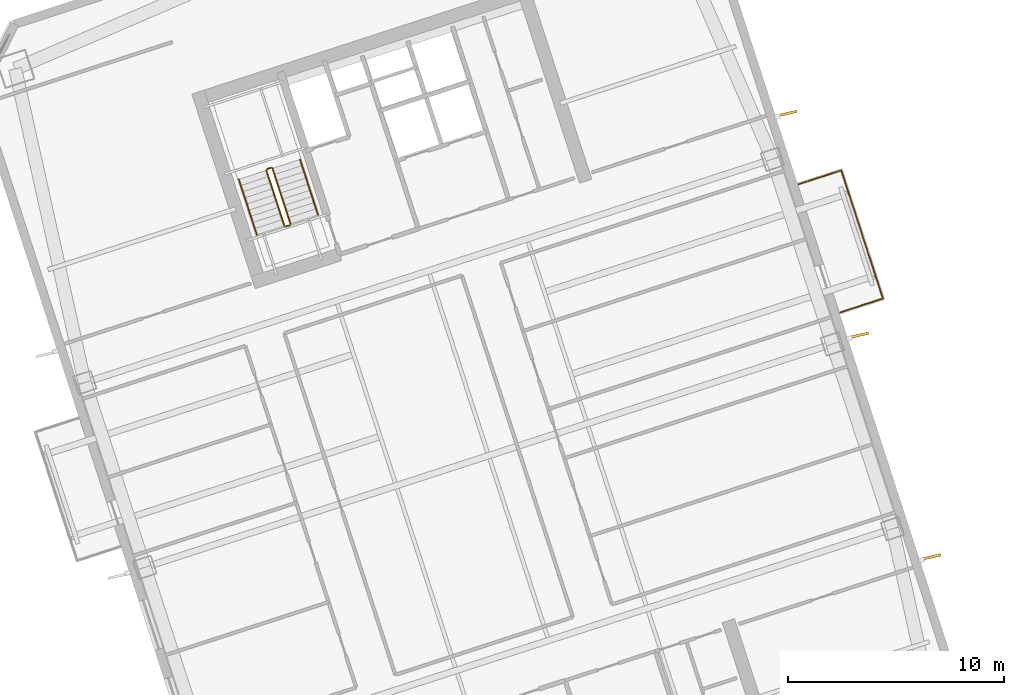
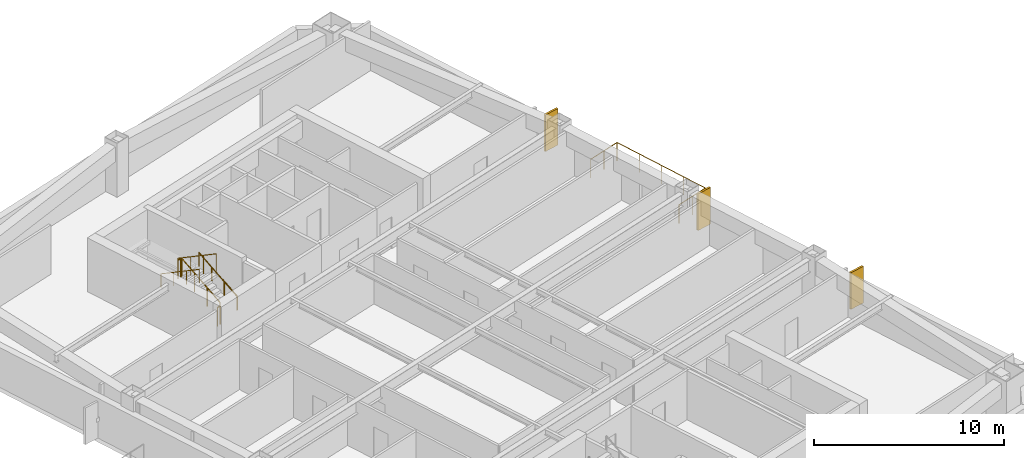
# One storey, part 23 of 23: 7 railings, 3 shading devices.
"""IFC4 building model written with IfcOpenShell, lengths in metres."""

from ifc_helpers import new_model, si_unit, direction, frame, origin, origin_2d, place, context, subcontext, project, spatial, rectangle, circle, extrude, material, layer, layer_set, type_object, element, save


model = new_model("IFC4")

# Units and contexts
model_context = context("Model", 3, precision=1e-05, world=origin(), true_north=direction((0.0, 1.0)))
body_context = subcontext(model_context, "Body", "Model", "MODEL_VIEW")
ifc_project = project(units=[si_unit("LENGTHUNIT", "METRE"), si_unit("AREAUNIT", "SQUARE_METRE"), si_unit("VOLUMEUNIT", "CUBIC_METRE"), si_unit("PLANEANGLEUNIT", "RADIAN"), si_unit("MASSUNIT", "GRAM", prefix="KILO")], contexts=[model_context])

# Site, building, storey
site_placement = place(None, origin())
site = spatial("IfcSite", under=ifc_project, at=site_placement, CompositionType="ELEMENT")
building_placement = place(site_placement, origin())
building = spatial("IfcBuilding", under=site, at=building_placement, Name="Qiaolan Cultural Towers", CompositionType="ELEMENT")
storey_placement = place(building_placement, frame((0.0, 0.0, 100.050048828125)))
storey = spatial("IfcBuildingStorey", under=building, at=storey_placement, Name="L25", CompositionType="ELEMENT", Elevation=100.050048828125)

# Railings
ifc_material_1 = material(Name="Laminated SentryGlas & Stainless Steel S31608 Balustrade", Category="steel")
railing_type_1 = type_object("IfcRailingType", Name="GRD-TERR-1200", PredefinedType="BALUSTRADE", material=ifc_material_1)
railing_1_placement = place(storey_placement, frame((106.29541015625, 40.640625, 0.0)))
element("IfcRailing", 1, at=railing_1_placement, inside=storey, type_object=railing_type_1, Name="L25 T2 Tree Balcony Guardrail E", PredefinedType="BALUSTRADE", context=body_context, shape_type="SweptSolid", body=[
    extrude(circle(Radius=0.02392578125, at=origin_2d()), frame((0.0, 0.0, 1.17578125), z_axis=(0.951061799618, 0.309000733507, 0.0), x_axis=(-0.309000733507, 0.951061799618, 0.0)), (0.0, 0.0, 1.0), 2.070068359375),
    extrude(circle(Radius=0.02392578125, at=origin_2d()), frame((1.96875, 0.6396484375, 1.17578125), z_axis=(-0.30901175762, 0.951058217804, 0.0), x_axis=(-0.951058217804, -0.30901175762, 0.0)), (0.0, 0.0, 1.0), 6.239990234375),
    extrude(circle(Radius=0.02392578125, at=origin_2d()), frame((0.04052734375, 6.57421875, 1.17578125), z_axis=(-0.951061799618, -0.309000733507, 0.0), x_axis=(0.309000733507, -0.951061799618, 0.0)), (0.0, 0.0, 1.0), 2.070068359375),
    extrude(circle(Radius=0.02099609375, at=origin_2d()), origin(), (0.0, 0.0, 1.0), 1.15185546875),
    extrude(circle(Radius=0.02099609375, at=origin_2d()), frame((0.984375, 0.31982421875, 0.0)), (0.0, 0.0, 1.0), 1.15185546875),
    extrude(circle(Radius=0.02099609375, at=origin_2d()), frame((1.96875, 0.6396484375, 0.0)), (0.0, 0.0, 1.0), 1.15185546875),
    extrude(circle(Radius=0.02099609375, at=origin_2d()), frame((1.48681640625, 2.123291015625, 0.0)), (0.0, 0.0, 1.0), 1.15185546875),
    extrude(circle(Radius=0.02099609375, at=origin_2d()), frame((1.004638671875, 3.60693359375, 0.0)), (0.0, 0.0, 1.0), 1.15185546875),
    extrude(circle(Radius=0.02099609375, at=origin_2d()), frame((0.5224609375, 5.090576171875, 0.0)), (0.0, 0.0, 1.0), 1.15185546875),
    extrude(circle(Radius=0.02099609375, at=origin_2d()), frame((0.04052734375, 6.57421875, 0.0)), (0.0, 0.0, 1.0), 1.15185546875),
    extrude(circle(Radius=0.02099609375, at=origin_2d()), frame((-0.94384765625, 6.25439453125, 0.0)), (0.0, 0.0, 1.0), 1.15185546875),
    extrude(circle(Radius=0.02099609375, at=origin_2d()), frame((-1.92822265625, 5.9345703125, 0.0)), (0.0, 0.0, 1.0), 1.15185546875),
])
ifc_material_2 = material(Name="Galvanized Painted Steel Stair Guardrail", Category="steel")
railing_type_2 = type_object("IfcRailingType", Name="RL-STAIR-GRD", PredefinedType="GUARDRAIL", material=ifc_material_2)
railing_2_placement = place(storey_placement, frame((80.822021484375, 44.739501953125, 0.17236328125)))
element("IfcRailing", 2, at=railing_2_placement, inside=storey, type_object=railing_type_2, Name="L25 ST-E2 stair guard 1", PredefinedType="GUARDRAIL", context=body_context, shape_type="SweptSolid", body=[
    extrude(circle(Radius=0.02392578125, at=origin_2d()), frame((0.0, 0.0, 1.17578125), z_axis=(-0.26785290645, 0.824488402118, 0.498471358535), x_axis=(-0.951069945308, -0.308975661068, 0.0)), (0.0, 0.0, 1.0), 3.114501953125),
    extrude(circle(Radius=0.02099609375, at=origin_2d()), origin(), (0.0, 0.0, 1.0), 1.15185546875),
    extrude(circle(Radius=0.02099609375, at=origin_2d()), frame((-0.278076171875, 0.85595703125, 0.517578125)), (0.0, 0.0, 1.0), 1.15185546875),
    extrude(circle(Radius=0.02099609375, at=origin_2d()), frame((-0.55615234375, 1.7119140625, 1.034912109375)), (0.0, 0.0, 1.0), 1.15185546875),
    extrude(circle(Radius=0.02099609375, at=origin_2d()), frame((-0.834228515625, 2.56787109375, 1.552490234375)), (0.0, 0.0, 1.0), 1.15185546875),
])
railing_3_placement = place(storey_placement, frame((79.9248046875, 47.33935546875, 1.724853515625)))
element("IfcRailing", 3, at=railing_3_placement, inside=storey, type_object=railing_type_2, Name="L25 ST-E2 stair guard 2", PredefinedType="GUARDRAIL", context=body_context, shape_type="SweptSolid", body=[
    extrude(circle(Radius=0.02392578125, at=origin_2d()), frame((0.0, 0.0, 1.17578125), z_axis=(-0.951096855055, -0.308892816854, 0.0), x_axis=(0.308892816854, -0.951096855055, 0.0)), (0.0, 0.0, 1.0), 0.199951171875),
    extrude(circle(Radius=0.02099609375, at=origin_2d()), origin(), (0.0, 0.0, 1.0), 1.15185546875),
    extrude(circle(Radius=0.02099609375, at=origin_2d()), frame((-0.190185546875, -0.061767578125, 0.0)), (0.0, 0.0, 1.0), 1.15185546875),
])
railing_4_placement = place(storey_placement, frame((79.702392578125, 47.214599609375, 1.8974609375)))
element("IfcRailing", 4, at=railing_4_placement, inside=storey, type_object=railing_type_2, Name="L25 ST-E2 stair guard 3", PredefinedType="GUARDRAIL", context=body_context, shape_type="SweptSolid", body=[
    extrude(circle(Radius=0.02392578125, at=origin_2d()), frame((0.0, 0.0, 1.17578125), z_axis=(0.267925668498, -0.824471088726, 0.498460891159), x_axis=(0.951043371037, 0.309057448393, 0.0)), (0.0, 0.0, 1.0), 3.114501953125),
    extrude(circle(Radius=0.02099609375, at=origin_2d()), origin(), (0.0, 0.0, 1.0), 1.15185546875),
    extrude(circle(Radius=0.02099609375, at=origin_2d()), frame((0.278076171875, -0.85595703125, 0.517578125)), (0.0, 0.0, 1.0), 1.15185546875),
    extrude(circle(Radius=0.02099609375, at=origin_2d()), frame((0.556396484375, -1.7119140625, 1.034912109375)), (0.0, 0.0, 1.0), 1.15185546875),
    extrude(circle(Radius=0.02099609375, at=origin_2d()), frame((0.83447265625, -2.56787109375, 1.552490234375)), (0.0, 0.0, 1.0), 1.15185546875),
])
railing_5_placement = place(storey_placement, frame((80.7900390625, 44.676513671875, 0.0)))
element("IfcRailing", 5, at=railing_5_placement, inside=storey, type_object=railing_type_2, Name="L25 ST-E2 stair guard 4", PredefinedType="GUARDRAIL", context=body_context, shape_type="SweptSolid", body=[
    extrude(circle(Radius=0.02392578125, at=origin_2d()), frame((0.0, 0.0, 1.17578125), z_axis=(-0.951096855055, -0.308892816854, 0.0), x_axis=(0.308892816854, -0.951096855055, 0.0)), (0.0, 0.0, 1.0), 0.199951171875),
    extrude(circle(Radius=0.02099609375, at=origin_2d()), origin(), (0.0, 0.0, 1.0), 1.15185546875),
    extrude(circle(Radius=0.02099609375, at=origin_2d()), frame((-0.190185546875, -0.061767578125, 0.0)), (0.0, 0.0, 1.0), 1.15185546875),
])
ifc_material_3 = material(Name="Stainless Steel S30408 Tubular Handrail", Category="steel")
railing_type_3 = type_object("IfcRailingType", Name="RL-STAIR-HR", PredefinedType="HANDRAIL", material=ifc_material_3)
railing_6_placement = place(storey_placement, frame((82.096435546875, 45.153564453125, 0.17236328125)))
element("IfcRailing", 6, at=railing_6_placement, inside=storey, type_object=railing_type_3, Name="L25 ST-E2 stair handrail 1", PredefinedType="HANDRAIL", context=body_context, shape_type="SweptSolid", body=[
    extrude(circle(Radius=0.02392578125, at=origin_2d()), frame((0.0, 0.0, 0.8759765625), z_axis=(-0.26785290645, 0.824488402118, 0.498471358535), x_axis=(-0.951069945308, -0.308975661068, 0.0)), (0.0, 0.0, 1.0), 3.114501953125),
    extrude(circle(Radius=0.02099609375, at=origin_2d()), origin(), (0.0, 0.0, 1.0), 0.851806640625),
    extrude(circle(Radius=0.02099609375, at=origin_2d()), frame((-0.278076171875, 0.85595703125, 0.517578125)), (0.0, 0.0, 1.0), 0.851806640625),
    extrude(circle(Radius=0.02099609375, at=origin_2d()), frame((-0.55615234375, 1.7119140625, 1.034912109375)), (0.0, 0.0, 1.0), 0.851806640625),
    extrude(circle(Radius=0.02099609375, at=origin_2d()), frame((-0.834228515625, 2.56787109375, 1.552490234375)), (0.0, 0.0, 1.0), 0.851806640625),
])
railing_7_placement = place(storey_placement, frame((78.427978515625, 46.800537109375, 1.8974609375)))
element("IfcRailing", 7, at=railing_7_placement, inside=storey, type_object=railing_type_3, Name="L25 ST-E2 stair handrail 2", PredefinedType="HANDRAIL", context=body_context, shape_type="SweptSolid", body=[
    extrude(circle(Radius=0.02392578125, at=origin_2d()), frame((0.0, 0.0, 0.8759765625), z_axis=(0.267925668498, -0.824471088726, 0.498460891159), x_axis=(0.951043371037, 0.309057448393, 0.0)), (0.0, 0.0, 1.0), 3.114501953125),
    extrude(circle(Radius=0.02099609375, at=origin_2d()), origin(), (0.0, 0.0, 1.0), 0.851806640625),
    extrude(circle(Radius=0.02099609375, at=origin_2d()), frame((0.278076171875, -0.85595703125, 0.517578125)), (0.0, 0.0, 1.0), 0.851806640625),
    extrude(circle(Radius=0.02099609375, at=origin_2d()), frame((0.556396484375, -1.7119140625, 1.034912109375)), (0.0, 0.0, 1.0), 0.851806640625),
    extrude(circle(Radius=0.02099609375, at=origin_2d()), frame((0.83447265625, -2.56787109375, 1.552490234375)), (0.0, 0.0, 1.0), 0.851806640625),
])

# Shading devices
ifc_material_4 = material(Name="Dark Basalt Honed Precast Terracotta Fin", Category="masonry")
ifc_layer = layer(ifc_material_4, 0.1201171875)
ifc_layer_set = layer_set([ifc_layer], Name="Dark Basalt Honed Precast Terracotta Fin")
shading_device_type = type_object("IfcShadingDeviceType", Name="SHD-FIN-DARK", PredefinedType="USERDEFINED", material=ifc_layer_set)
for number, where, z_axis, x_axis, name in (
    (8, (110.513427734375, 29.309326171875, 0.099853515625), (0.0, 0.0, 1.0), (0.974879128079, 0.222734563182, 0.0), "L25 T2 Expressive Precast Vertical Fin E1"),
    (9, (107.176025390625, 39.580810546875, 0.099853515625), (0.0, 0.0, 1.0), (0.974879128079, 0.222734563182, 0.0), "L25 T2 Expressive Precast Vertical Fin E2"),
    (10, (103.838623046875, 49.852294921875, 0.099853515625), (0.0, 0.0, 1.0), (0.974879128079, 0.222734563182, 0.0), "L25 T2 Expressive Precast Vertical Fin E3"),
):
    element("IfcShadingDevice", number, at=place(storey_placement, frame(where, z_axis=z_axis, x_axis=x_axis)), inside=storey, type_object=shading_device_type, Name=name, ObjectType="FIN", PredefinedType="USERDEFINED", context=body_context, shape_type="SweptSolid", body=[
        extrude(rectangle(XDim=0.89990234375, YDim=0.1201171875, at=origin_2d()), origin(), (0.0, 0.0, 1.0), 2.35009765625),
    ])

save(model, "model.ifc")
